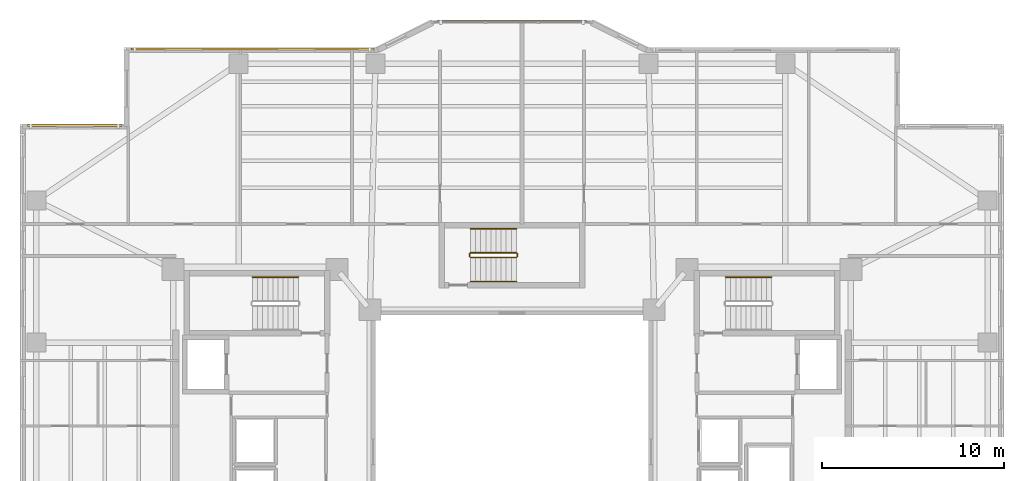
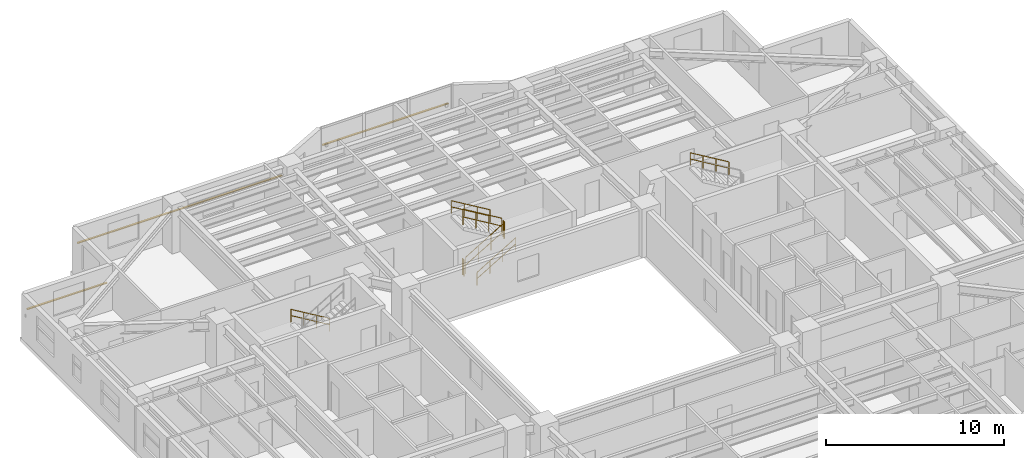
# One storey, part 17 of 18: 8 railings, 3 shading devices.
"""IFC4 building model written with IfcOpenShell, lengths in metres."""

import ifcopenshell
import ifcopenshell.guid

model = None  # the IFC model being written
_history = None  # IfcOwnerHistory: only IFC2X3 demands one
_inside = {}  # id of a spatial element -> (the spatial element, [elements in it])
_under = {}  # id of a project, library or spatial element -> (it, [spatial elements below it])
_declared = {}  # id of a project -> (the project, [libraries it declares])
_typed = {}  # id of a type object -> (the type object, [elements of that type])
_made_of = {}  # id of a material, layer set ... -> (it, [elements and type objects made of it])


def new_model(schema):
    """Start an empty IFC model of exactly this schema.

    Asked for "IFC4X3", IfcOpenShell would pick the latest addendum, in which some entities
    have other attributes; the version numbers below select the first issue.
    IFC2X3 requires an IfcOwnerHistory on every rooted entity: one is made here for all.
    """
    global model, _history
    if schema == "IFC4X3":
        model = ifcopenshell.file(schema_version=(4, 3, 0, 0))
    else:
        model = ifcopenshell.file(schema=schema)
    _inside.clear()
    _under.clear()
    _declared.clear()
    _typed.clear()
    _made_of.clear()
    _history = None
    if model.schema == "IFC2X3":
        org = make("IfcOrganization", Name="unknown")
        user = make(
            "IfcPersonAndOrganization",
            ThePerson=make("IfcPerson", FamilyName="unknown"),
            TheOrganization=org,
        )
        app = make(
            "IfcApplication",
            ApplicationDeveloper=org,
            Version="unknown",
            ApplicationFullName="unknown",
            ApplicationIdentifier="unknown",
        )
        _history = make(
            "IfcOwnerHistory",
            OwningUser=user,
            OwningApplication=app,
            ChangeAction="ADDED",
            CreationDate=0,
        )
    return model


def make(cls, **values):
    """One entity of the class cls with the attributes given. An attribute that is None is left unset."""
    return model.create_entity(
        cls, **{name: value for name, value in values.items() if value is not None}
    )


def rooted(cls, **values):
    """An entity with a GlobalId (a new one), such as an element, a storey or a relation."""
    return make(cls, GlobalId=ifcopenshell.guid.new(), OwnerHistory=_history, **values)


def si_unit(unit_type, name, prefix=None):
    """IfcSIUnit, for example si_unit("LENGTHUNIT", "METRE", prefix="MILLI")."""
    return make("IfcSIUnit", UnitType=unit_type, Prefix=prefix, Name=name)


def assignment(units):
    """IfcUnitAssignment: the units of a project."""
    return None if units is None else make("IfcUnitAssignment", Units=units)


def point(xyz):
    """IfcCartesianPoint."""
    return None if xyz is None else make("IfcCartesianPoint", Coordinates=xyz)


def direction(xyz):
    """IfcDirection."""
    return None if xyz is None else make("IfcDirection", DirectionRatios=xyz)


def frame(location, z_axis=None, x_axis=None):
    """IfcAxis2Placement3D, a coordinate frame: its origin and axes. An axis left out is left unset."""
    return make(
        "IfcAxis2Placement3D",
        Location=point(location),
        Axis=direction(z_axis),
        RefDirection=direction(x_axis),
    )


def frame_2d(location, x_axis=None):
    """IfcAxis2Placement2D, a coordinate frame in the plane: its origin and x axis."""
    return make(
        "IfcAxis2Placement2D", Location=point(location), RefDirection=direction(x_axis)
    )


def origin():
    """The frame at (0, 0, 0) with its axes left unset."""
    return frame((0.0, 0.0, 0.0))


def origin_2d():
    """The frame at (0, 0) in the plane with its x axis left unset."""
    return frame_2d((0.0, 0.0))


def place(relative_to, where):
    """IfcLocalPlacement: puts the frame where relative to a parent placement (None: the world)."""
    return make(
        "IfcLocalPlacement", PlacementRelTo=relative_to, RelativePlacement=where
    )


def context(
    kind, dimensions, precision=None, world=None, true_north=None, identifier=None
):
    """IfcGeometricRepresentationContext, for example the 3D "Model" context."""
    return make(
        "IfcGeometricRepresentationContext",
        ContextIdentifier=identifier,
        ContextType=kind,
        CoordinateSpaceDimension=dimensions,
        Precision=precision,
        WorldCoordinateSystem=world,
        TrueNorth=true_north,
    )


def subcontext(parent, identifier, kind, view, scale=None):
    """IfcGeometricRepresentationSubContext, for example "Body" below "Model"."""
    return make(
        "IfcGeometricRepresentationSubContext",
        ContextIdentifier=identifier,
        ContextType=kind,
        ParentContext=parent,
        TargetScale=scale,
        TargetView=view,
    )


def project(units=None, contexts=None):
    """IfcProject with its units and contexts."""
    return rooted(
        "IfcProject",
        Name="project",
        RepresentationContexts=contexts,
        UnitsInContext=assignment(units),
    )


def spatial(cls, under=None, at=None, **own):
    """A site, building, storey or space (cls), placed at a placement, below another one or the project."""
    s = rooted(cls, ObjectPlacement=at, **own)
    if under is not None:
        _under.setdefault(under.id(), (under, []))[1].append(s)
    return s


def profile(cls, at=None, kind="AREA", **sizes):
    """A parametric profile (cls). Its sizes go by their IFC names, for example OverallWidth=200.0."""
    return make(cls, ProfileType=kind, Position=at, **sizes)


def rectangle(**sizes):
    """IfcRectangleProfileDef."""
    return profile("IfcRectangleProfileDef", **sizes)


def circle(**sizes):
    """IfcCircleProfileDef."""
    return profile("IfcCircleProfileDef", **sizes)


def extrude(swept, where, along, depth):
    """IfcExtrudedAreaSolid: the profile swept, set in the frame where, extruded along a direction by depth."""
    return make(
        "IfcExtrudedAreaSolid",
        SweptArea=swept,
        Position=where,
        ExtrudedDirection=direction(along),
        Depth=depth,
    )


def shape(context_of_items, identifier, shape_type, items):
    """IfcShapeRepresentation: the items that make up one representation, for example the "Body"."""
    return make(
        "IfcShapeRepresentation",
        ContextOfItems=context_of_items,
        RepresentationIdentifier=identifier,
        RepresentationType=shape_type,
        Items=items,
    )


def material(Name=None, Category=None):
    """IfcMaterial."""
    return make("IfcMaterial", Name=Name, Category=Category)


def material_profile(
    of_material, cross_section, Name=None, Category=None, Priority=None
):
    """IfcMaterialProfile: a cross section and its material."""
    return make(
        "IfcMaterialProfile",
        Name=Name,
        Material=of_material,
        Profile=cross_section,
        Priority=Priority,
        Category=Category,
    )


def profile_set(profiles, Name=None, composite=None):
    """IfcMaterialProfileSet."""
    return make(
        "IfcMaterialProfileSet",
        Name=Name,
        MaterialProfiles=profiles,
        CompositeProfile=composite,
    )


def made_of(thing, what):
    """Note that an element or type object is made of a material, layer set ...; save() writes the relation."""
    if what is not None:
        _made_of.setdefault(what.id(), (what, []))[1].append(thing)
    return thing


def type_object(cls, material=None, **own):
    """A type object (cls), such as IfcWallType, which elements share."""
    return made_of(rooted(cls, **own), material)


def element(
    cls,
    number,
    at=None,
    inside=None,
    cuts=None,
    type_object=None,
    material=None,
    context=None,
    identifier="Body",
    shape_type=None,
    held_by="IfcProductDefinitionShape",
    body=None,
    shapes=None,
    **own,
):
    """One element of the class cls, such as IfcWall. Its Tag is "e" and its number.

    at: its placement. inside: the storey or other place that contains it. cuts: it is an
    opening in that element (IfcRelVoidsElement). A single representation is given by context,
    identifier, shape_type and body (its items); several are given by shapes. held_by: the class
    of the entity that holds the representations. save() writes the other relations.
    """
    e = rooted(cls, Tag="e%d" % number, ObjectPlacement=at, **own)
    if body is not None:
        shapes = [shape(context, identifier, shape_type, body)]
    if shapes is not None:
        e.Representation = make(held_by, Representations=shapes)
    if inside is not None:
        _inside.setdefault(inside.id(), (inside, []))[1].append(e)
    if cuts is not None:
        rooted(
            "IfcRelVoidsElement", RelatingBuildingElement=cuts, RelatedOpeningElement=e
        )
    if type_object is not None:
        _typed.setdefault(type_object.id(), (type_object, []))[1].append(e)
    return made_of(e, material)


def aggregate(whole, parts):
    """IfcRelAggregates: a whole, such as a stair, and the parts it consists of."""
    return rooted("IfcRelAggregates", RelatingObject=whole, RelatedObjects=parts)


def save(model, path):
    """Write the relations noted so far, then the file.

    IfcRelAggregates (storeys below a building ...), IfcRelContainedInSpatialStructure (elements
    in a storey), IfcRelDefinesByType, IfcRelAssociatesMaterial and IfcRelDeclares: one each for
    every whole, place, type object, material and project.
    """
    for whole, parts in _under.values():
        aggregate(whole, parts)
    for where, things in _inside.values():
        rooted(
            "IfcRelContainedInSpatialStructure",
            RelatedElements=things,
            RelatingStructure=where,
        )
    for kind, things in _typed.values():
        rooted("IfcRelDefinesByType", RelatedObjects=things, RelatingType=kind)
    for what, things in _made_of.values():
        rooted("IfcRelAssociatesMaterial", RelatedObjects=things, RelatingMaterial=what)
    for by, libraries in _declared.values():
        rooted("IfcRelDeclares", RelatingContext=by, RelatedDefinitions=libraries)
    model.write(path)


model = new_model("IFC4")

# Units and contexts
model_context = context("Model", 3, precision=1e-05, world=origin(), true_north=direction((0.0, 1.0)))
body_context = subcontext(model_context, "Body", "Model", "MODEL_VIEW")
ifc_project = project(units=[si_unit("LENGTHUNIT", "METRE"), si_unit("AREAUNIT", "SQUARE_METRE"), si_unit("VOLUMEUNIT", "CUBIC_METRE"), si_unit("PLANEANGLEUNIT", "RADIAN"), si_unit("MASSUNIT", "GRAM", prefix="KILO")], contexts=[model_context])

# Site, building, storey
site_placement = place(None, origin())
site = spatial("IfcSite", under=ifc_project, at=site_placement, CompositionType="ELEMENT")
building_placement = place(site_placement, origin())
building = spatial("IfcBuilding", under=site, at=building_placement, Name="Tarnavaz Court Tower", CompositionType="ELEMENT")
storey_placement = place(building_placement, frame((0.0, 0.0, 108.449951171875)))
storey = spatial("IfcBuildingStorey", under=building, at=storey_placement, Name="L29", CompositionType="ELEMENT", Elevation=108.449951171875)

# Railings
ifc_material_1 = material(Name="Brushed Stainless Steel", Category="steel")
railing_type_1 = type_object("IfcRailingType", Name="RL-HANDRAIL-900", PredefinedType="HANDRAIL", material=ifc_material_1)
for number, where, name in (
    (1, (-11.719970703125, 9.590087890625, 0.16748046875), "L29 ST-W1 stair handrail 1"),
    (2, (14.239990234375, 9.590087890625, 1.842529296875), "L29 ST-E1 stair handrail 2"),
):
    element("IfcRailing", number, at=place(storey_placement, frame(where)), inside=storey, type_object=railing_type_1, Name=name, PredefinedType="HANDRAIL", context=body_context, shape_type="SweptSolid", body=[
        extrude(circle(Radius=0.02392578125, at=origin_2d()), frame((0.0, 0.0, 0.8759765625), z_axis=(-0.858159760407, 0.0, 0.513382728203), x_axis=(0.0, -1.0, 0.0)), (0.0, 0.0, 1.0), 2.9365234375),
        extrude(circle(Radius=0.02392578125, at=origin_2d()), frame((0.0, 0.0, 0.449951171875), z_axis=(-0.858159760407, 0.0, 0.513382728203), x_axis=(0.0, -1.0, 0.0)), (0.0, 0.0, 1.0), 2.9365234375),
        extrude(circle(Radius=0.02099609375, at=origin_2d()), origin(), (0.0, 0.0, 1.0), 0.851806640625),
        extrude(circle(Radius=0.02099609375, at=origin_2d()), frame((-0.840087890625, 0.0, 0.50244140625)), (0.0, 0.0, 1.0), 0.851806640625),
        extrude(circle(Radius=0.02099609375, at=origin_2d()), frame((-1.679931640625, 0.0, 1.005126953125)), (0.0, 0.0, 1.0), 0.851806640625),
        extrude(circle(Radius=0.02099609375, at=origin_2d()), frame((-2.52001953125, 0.0, 1.507568359375)), (0.0, 0.0, 1.0), 0.851806640625),
    ])
railing_1_placement = place(storey_placement, frame((-2.280029296875, 9.35009765625, 0.16748046875)))
element("IfcRailing", 3, at=railing_1_placement, inside=storey, type_object=railing_type_1, Name="L29 ST-N1 stair handrail 1", PredefinedType="HANDRAIL", context=body_context, shape_type="SweptSolid", body=[
    extrude(circle(Radius=0.02392578125, at=origin_2d()), frame((0.0, 0.0, 0.8759765625), z_axis=(0.858159760407, 0.0, 0.513382728203), x_axis=(0.0, 1.0, 0.0)), (0.0, 0.0, 1.0), 2.9365234375),
    extrude(circle(Radius=0.02392578125, at=origin_2d()), frame((0.0, 0.0, 0.449951171875), z_axis=(0.858159760407, 0.0, 0.513382728203), x_axis=(0.0, 1.0, 0.0)), (0.0, 0.0, 1.0), 2.9365234375),
    extrude(circle(Radius=0.02099609375, at=origin_2d()), origin(), (0.0, 0.0, 1.0), 0.851806640625),
    extrude(circle(Radius=0.02099609375, at=origin_2d()), frame((0.840087890625, 0.0, 0.50244140625)), (0.0, 0.0, 1.0), 0.851806640625),
    extrude(circle(Radius=0.02099609375, at=origin_2d()), frame((1.679931640625, 0.0, 1.005126953125)), (0.0, 0.0, 1.0), 0.851806640625),
    extrude(circle(Radius=0.02099609375, at=origin_2d()), frame((2.52001953125, 0.0, 1.507568359375)), (0.0, 0.0, 1.0), 0.851806640625),
])
railing_2_placement = place(storey_placement, frame((0.239990234375, 12.239990234375, 1.842529296875)))
element("IfcRailing", 4, at=railing_2_placement, inside=storey, type_object=railing_type_1, Name="L29 ST-N1 stair handrail 2", PredefinedType="HANDRAIL", context=body_context, shape_type="SweptSolid", body=[
    extrude(circle(Radius=0.02392578125, at=origin_2d()), frame((0.0, 0.0, 0.8759765625), z_axis=(-0.858159760407, 0.0, 0.513382728203), x_axis=(0.0, -1.0, 0.0)), (0.0, 0.0, 1.0), 2.9365234375),
    extrude(circle(Radius=0.02392578125, at=origin_2d()), frame((0.0, 0.0, 0.449951171875), z_axis=(-0.858159760407, 0.0, 0.513382728203), x_axis=(0.0, -1.0, 0.0)), (0.0, 0.0, 1.0), 2.9365234375),
    extrude(circle(Radius=0.02099609375, at=origin_2d()), origin(), (0.0, 0.0, 1.0), 0.851806640625),
    extrude(circle(Radius=0.02099609375, at=origin_2d()), frame((-0.840087890625, 0.0, 0.50244140625)), (0.0, 0.0, 1.0), 0.851806640625),
    extrude(circle(Radius=0.02099609375, at=origin_2d()), frame((-1.679931640625, 0.0, 1.005126953125)), (0.0, 0.0, 1.0), 0.851806640625),
    extrude(circle(Radius=0.02099609375, at=origin_2d()), frame((-2.52001953125, 0.0, 1.507568359375)), (0.0, 0.0, 1.0), 0.851806640625),
])
ifc_material_2 = material(Name="Galvanized Painted Tubular Steel", Category="steel")
railing_type_2 = type_object("IfcRailingType", Name="RL-STGUARD-1120", PredefinedType="GUARDRAIL", material=ifc_material_2)
railing_3_placement = place(storey_placement, frame((-2.280029296875, 10.669921875, 0.16748046875)))
element("IfcRailing", 5, at=railing_3_placement, inside=storey, type_object=railing_type_2, Name="L29 ST-N1 stair guard 1", PredefinedType="GUARDRAIL", context=body_context, shape_type="SweptSolid", body=[
    extrude(circle(Radius=0.02392578125, at=origin_2d()), frame((0.0, 0.0, 1.09619140625), z_axis=(0.858159760407, 0.0, 0.513382728203), x_axis=(0.0, 1.0, 0.0)), (0.0, 0.0, 1.0), 2.9365234375),
    extrude(circle(Radius=0.02392578125, at=origin_2d()), frame((0.0, 0.0, 0.56005859375), z_axis=(0.858159760407, 0.0, 0.513382728203), x_axis=(0.0, 1.0, 0.0)), (0.0, 0.0, 1.0), 2.9365234375),
    extrude(circle(Radius=0.02099609375, at=origin_2d()), origin(), (0.0, 0.0, 1.0), 1.072021484375),
    extrude(circle(Radius=0.02099609375, at=origin_2d()), frame((0.840087890625, 0.0, 0.50244140625)), (0.0, 0.0, 1.0), 1.072021484375),
    extrude(circle(Radius=0.02099609375, at=origin_2d()), frame((1.679931640625, 0.0, 1.005126953125)), (0.0, 0.0, 1.0), 1.072021484375),
    extrude(circle(Radius=0.02099609375, at=origin_2d()), frame((2.52001953125, 0.0, 1.507568359375)), (0.0, 0.0, 1.0), 1.072021484375),
])
railing_4_placement = place(storey_placement, frame((0.2900390625, 10.719970703125, 1.675048828125)))
element("IfcRailing", 6, at=railing_4_placement, inside=storey, type_object=railing_type_2, Name="L29 ST-N1 stair guard 2", PredefinedType="GUARDRAIL", context=body_context, shape_type="SweptSolid", body=[
    extrude(circle(Radius=0.02392578125, at=origin_2d()), frame((0.0, 0.0, 1.09619140625), z_axis=(0.0, 1.0, 0.0), x_axis=(-1.0, 0.0, 0.0)), (0.0, 0.0, 1.0), 0.150146484375),
    extrude(circle(Radius=0.02392578125, at=origin_2d()), frame((0.0, 0.0, 0.56005859375), z_axis=(0.0, 1.0, 0.0), x_axis=(-1.0, 0.0, 0.0)), (0.0, 0.0, 1.0), 0.150146484375),
    extrude(circle(Radius=0.02099609375, at=origin_2d()), origin(), (0.0, 0.0, 1.0), 1.072021484375),
    extrude(circle(Radius=0.02099609375, at=origin_2d()), frame((0.0, 0.150146484375, 0.0)), (0.0, 0.0, 1.0), 1.072021484375),
])
railing_5_placement = place(storey_placement, frame((0.239990234375, 10.919921875, 1.842529296875)))
element("IfcRailing", 7, at=railing_5_placement, inside=storey, type_object=railing_type_2, Name="L29 ST-N1 stair guard 3", PredefinedType="GUARDRAIL", context=body_context, shape_type="SweptSolid", body=[
    extrude(circle(Radius=0.02392578125, at=origin_2d()), frame((0.0, 0.0, 1.09619140625), z_axis=(-0.858159760407, 0.0, 0.513382728203), x_axis=(0.0, -1.0, 0.0)), (0.0, 0.0, 1.0), 2.9365234375),
    extrude(circle(Radius=0.02392578125, at=origin_2d()), frame((0.0, 0.0, 0.56005859375), z_axis=(-0.858159760407, 0.0, 0.513382728203), x_axis=(0.0, -1.0, 0.0)), (0.0, 0.0, 1.0), 2.9365234375),
    extrude(circle(Radius=0.02099609375, at=origin_2d()), origin(), (0.0, 0.0, 1.0), 1.072021484375),
    extrude(circle(Radius=0.02099609375, at=origin_2d()), frame((-0.840087890625, 0.0, 0.50244140625)), (0.0, 0.0, 1.0), 1.072021484375),
    extrude(circle(Radius=0.02099609375, at=origin_2d()), frame((-1.679931640625, 0.0, 1.005126953125)), (0.0, 0.0, 1.0), 1.072021484375),
    extrude(circle(Radius=0.02099609375, at=origin_2d()), frame((-2.52001953125, 0.0, 1.507568359375)), (0.0, 0.0, 1.0), 1.072021484375),
])
railing_6_placement = place(storey_placement, frame((-2.330078125, 10.719970703125, 0.0)))
element("IfcRailing", 8, at=railing_6_placement, inside=storey, type_object=railing_type_2, Name="L29 ST-N1 stair guard 4", PredefinedType="GUARDRAIL", context=body_context, shape_type="SweptSolid", body=[
    extrude(circle(Radius=0.02392578125, at=origin_2d()), frame((0.0, 0.0, 1.09619140625), z_axis=(0.0, 1.0, 0.0), x_axis=(-1.0, 0.0, 0.0)), (0.0, 0.0, 1.0), 0.150146484375),
    extrude(circle(Radius=0.02392578125, at=origin_2d()), frame((0.0, 0.0, 0.56005859375), z_axis=(0.0, 1.0, 0.0), x_axis=(-1.0, 0.0, 0.0)), (0.0, 0.0, 1.0), 0.150146484375),
    extrude(circle(Radius=0.02099609375, at=origin_2d()), origin(), (0.0, 0.0, 1.0), 1.072021484375),
    extrude(circle(Radius=0.02099609375, at=origin_2d()), frame((0.0, 0.150146484375, 0.0)), (0.0, 0.0, 1.0), 1.072021484375),
])

# Shading devices
ifc_material_3 = material(Name="Kiln-Fired Khorasan Terracotta Ceramic", Category="masonry")
ifc_material_profile = material_profile(ifc_material_3, rectangle(XDim=0.1201171875, YDim=0.06005859375, at=origin_2d()), Name="TC BAGUETTE 120X60")
ifc_profile_set = profile_set([ifc_material_profile], Name="Kiln-Fired Khorasan Terracotta Ceramic")
shading_device_type = type_object("IfcShadingDeviceType", Name="SD-BAG-120", PredefinedType="USERDEFINED", material=ifc_profile_set)
shading_device_1_placement = place(storey_placement, frame((-26.60009765625, 17.909912109375, 1.85009765625), z_axis=(1.0, 0.0, 0.0), x_axis=(0.0, 1.0, 0.0)))
element("IfcShadingDevice", 9, at=shading_device_1_placement, inside=storey, type_object=shading_device_type, Name="L29 Terracotta Baguette Screen FBG03", ObjectType="BAGUETTE", PredefinedType="USERDEFINED", context=body_context, shape_type="SweptSolid", body=[
    extrude(rectangle(XDim=0.1201171875, YDim=0.06005859375, at=origin_2d()), origin(), (0.0, 0.0, 1.0), 5.2001953125),
])
shading_device_2_placement = place(storey_placement, frame((-20.89990234375, 22.110107421875, 1.85009765625), z_axis=(1.0, 0.0, 0.0), x_axis=(0.0, 1.0, 0.0)))
element("IfcShadingDevice", 10, at=shading_device_2_placement, inside=storey, type_object=shading_device_type, Name="L29 Terracotta Baguette Screen FBG05", ObjectType="BAGUETTE", PredefinedType="USERDEFINED", context=body_context, shape_type="SweptSolid", body=[
    extrude(rectangle(XDim=0.1201171875, YDim=0.06005859375, at=origin_2d()), origin(), (0.0, 0.0, 1.0), 13.2998046875),
])
shading_device_3_placement = place(storey_placement, frame((-4.10009765625, 23.610107421875, 1.800048828125), z_axis=(1.0, 0.0, 0.0), x_axis=(0.0, 1.0, 0.0)))
element("IfcShadingDevice", 11, at=shading_device_3_placement, inside=storey, type_object=shading_device_type, Name="L29 Terracotta Baguette Screen PBG7", ObjectType="BAGUETTE", PredefinedType="USERDEFINED", context=body_context, shape_type="SweptSolid", body=[
    extrude(rectangle(XDim=0.1201171875, YDim=0.06005859375, at=origin_2d()), origin(), (0.0, 0.0, 1.0), 8.2001953125),
])

save(model, "model.ifc")
